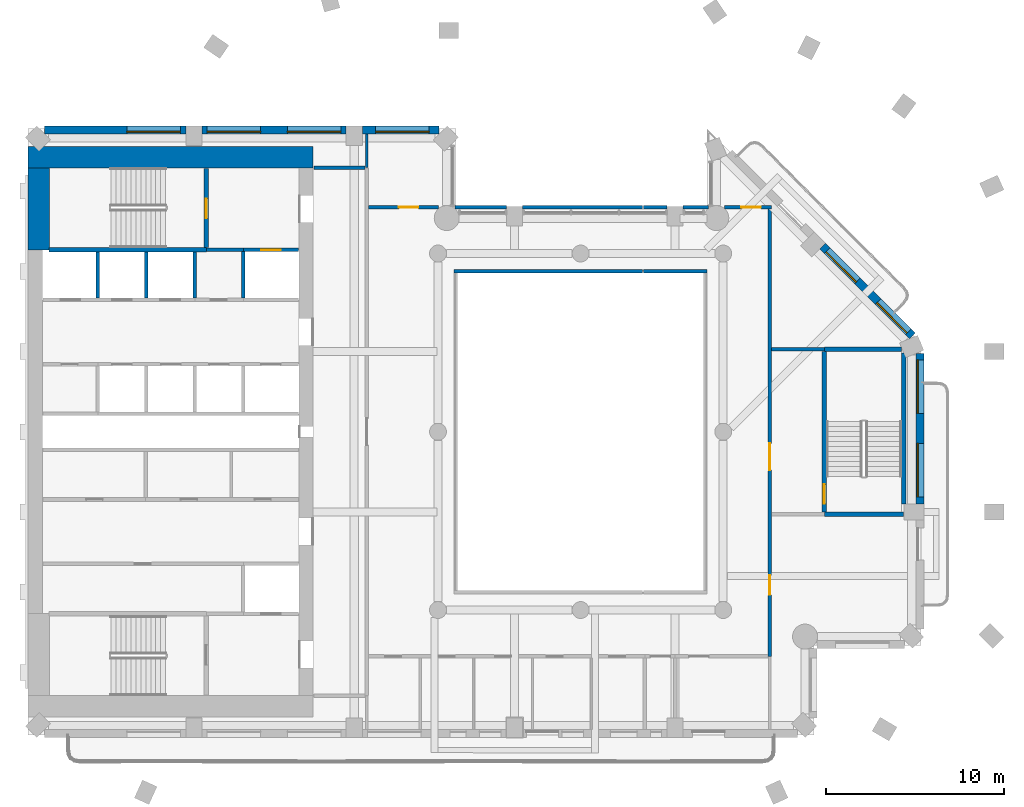
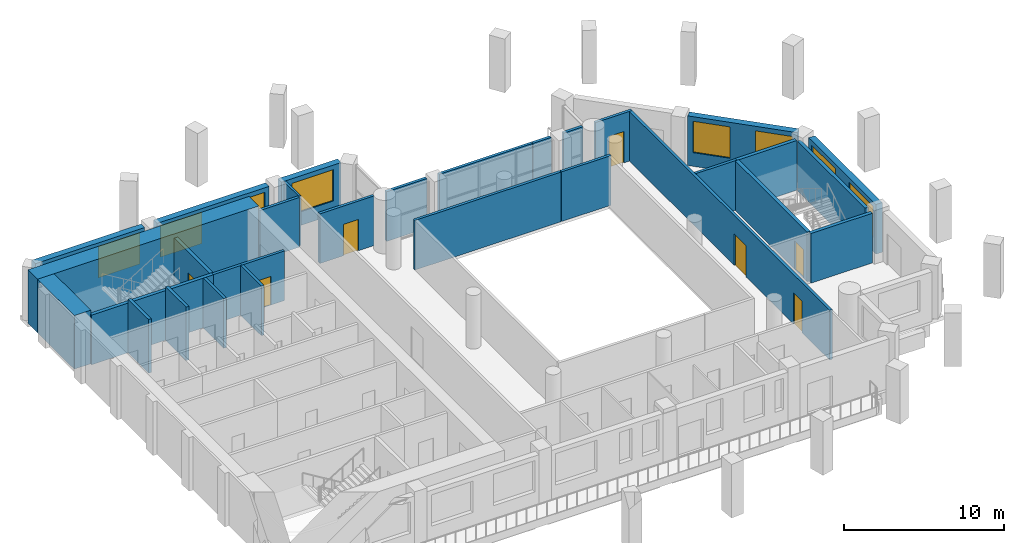
# One storey, part 6 of 14: 31 walls, 8 windows, 7 doors, 15 openings.
"""IFC4 building model written with IfcOpenShell, lengths in metres."""

import ifcopenshell
import ifcopenshell.guid

model = None  # the IFC model being written
_history = None  # IfcOwnerHistory: only IFC2X3 demands one
_inside = {}  # id of a spatial element -> (the spatial element, [elements in it])
_under = {}  # id of a project, library or spatial element -> (it, [spatial elements below it])
_declared = {}  # id of a project -> (the project, [libraries it declares])
_typed = {}  # id of a type object -> (the type object, [elements of that type])
_made_of = {}  # id of a material, layer set ... -> (it, [elements and type objects made of it])


def new_model(schema):
    """Start an empty IFC model of exactly this schema.

    Asked for "IFC4X3", IfcOpenShell would pick the latest addendum, in which some entities
    have other attributes; the version numbers below select the first issue.
    IFC2X3 requires an IfcOwnerHistory on every rooted entity: one is made here for all.
    """
    global model, _history
    if schema == "IFC4X3":
        model = ifcopenshell.file(schema_version=(4, 3, 0, 0))
    else:
        model = ifcopenshell.file(schema=schema)
    _inside.clear()
    _under.clear()
    _declared.clear()
    _typed.clear()
    _made_of.clear()
    _history = None
    if model.schema == "IFC2X3":
        org = make("IfcOrganization", Name="unknown")
        user = make(
            "IfcPersonAndOrganization",
            ThePerson=make("IfcPerson", FamilyName="unknown"),
            TheOrganization=org,
        )
        app = make(
            "IfcApplication",
            ApplicationDeveloper=org,
            Version="unknown",
            ApplicationFullName="unknown",
            ApplicationIdentifier="unknown",
        )
        _history = make(
            "IfcOwnerHistory",
            OwningUser=user,
            OwningApplication=app,
            ChangeAction="ADDED",
            CreationDate=0,
        )
    return model


def make(cls, **values):
    """One entity of the class cls with the attributes given. An attribute that is None is left unset."""
    return model.create_entity(
        cls, **{name: value for name, value in values.items() if value is not None}
    )


def rooted(cls, **values):
    """An entity with a GlobalId (a new one), such as an element, a storey or a relation."""
    return make(cls, GlobalId=ifcopenshell.guid.new(), OwnerHistory=_history, **values)


def si_unit(unit_type, name, prefix=None):
    """IfcSIUnit, for example si_unit("LENGTHUNIT", "METRE", prefix="MILLI")."""
    return make("IfcSIUnit", UnitType=unit_type, Prefix=prefix, Name=name)


def assignment(units):
    """IfcUnitAssignment: the units of a project."""
    return None if units is None else make("IfcUnitAssignment", Units=units)


def point(xyz):
    """IfcCartesianPoint."""
    return None if xyz is None else make("IfcCartesianPoint", Coordinates=xyz)


def direction(xyz):
    """IfcDirection."""
    return None if xyz is None else make("IfcDirection", DirectionRatios=xyz)


def frame(location, z_axis=None, x_axis=None):
    """IfcAxis2Placement3D, a coordinate frame: its origin and axes. An axis left out is left unset."""
    return make(
        "IfcAxis2Placement3D",
        Location=point(location),
        Axis=direction(z_axis),
        RefDirection=direction(x_axis),
    )


def frame_2d(location, x_axis=None):
    """IfcAxis2Placement2D, a coordinate frame in the plane: its origin and x axis."""
    return make(
        "IfcAxis2Placement2D", Location=point(location), RefDirection=direction(x_axis)
    )


def origin():
    """The frame at (0, 0, 0) with its axes left unset."""
    return frame((0.0, 0.0, 0.0))


def place(relative_to, where):
    """IfcLocalPlacement: puts the frame where relative to a parent placement (None: the world)."""
    return make(
        "IfcLocalPlacement", PlacementRelTo=relative_to, RelativePlacement=where
    )


def context(
    kind, dimensions, precision=None, world=None, true_north=None, identifier=None
):
    """IfcGeometricRepresentationContext, for example the 3D "Model" context."""
    return make(
        "IfcGeometricRepresentationContext",
        ContextIdentifier=identifier,
        ContextType=kind,
        CoordinateSpaceDimension=dimensions,
        Precision=precision,
        WorldCoordinateSystem=world,
        TrueNorth=true_north,
    )


def subcontext(parent, identifier, kind, view, scale=None):
    """IfcGeometricRepresentationSubContext, for example "Body" below "Model"."""
    return make(
        "IfcGeometricRepresentationSubContext",
        ContextIdentifier=identifier,
        ContextType=kind,
        ParentContext=parent,
        TargetScale=scale,
        TargetView=view,
    )


def project(units=None, contexts=None):
    """IfcProject with its units and contexts."""
    return rooted(
        "IfcProject",
        Name="project",
        RepresentationContexts=contexts,
        UnitsInContext=assignment(units),
    )


def spatial(cls, under=None, at=None, **own):
    """A site, building, storey or space (cls), placed at a placement, below another one or the project."""
    s = rooted(cls, ObjectPlacement=at, **own)
    if under is not None:
        _under.setdefault(under.id(), (under, []))[1].append(s)
    return s


def profile(cls, at=None, kind="AREA", **sizes):
    """A parametric profile (cls). Its sizes go by their IFC names, for example OverallWidth=200.0."""
    return make(cls, ProfileType=kind, Position=at, **sizes)


def rectangle(**sizes):
    """IfcRectangleProfileDef."""
    return profile("IfcRectangleProfileDef", **sizes)


def extrude(swept, where, along, depth):
    """IfcExtrudedAreaSolid: the profile swept, set in the frame where, extruded along a direction by depth."""
    return make(
        "IfcExtrudedAreaSolid",
        SweptArea=swept,
        Position=where,
        ExtrudedDirection=direction(along),
        Depth=depth,
    )


def shape(context_of_items, identifier, shape_type, items):
    """IfcShapeRepresentation: the items that make up one representation, for example the "Body"."""
    return make(
        "IfcShapeRepresentation",
        ContextOfItems=context_of_items,
        RepresentationIdentifier=identifier,
        RepresentationType=shape_type,
        Items=items,
    )


def material(Name=None, Category=None):
    """IfcMaterial."""
    return make("IfcMaterial", Name=Name, Category=Category)


def layer(
    of_material, thickness, ventilated=None, Name=None, Category=None, Priority=None
):
    """IfcMaterialLayer: one layer of a wall or slab, of a material (None: an air gap)."""
    return make(
        "IfcMaterialLayer",
        Material=of_material,
        LayerThickness=thickness,
        IsVentilated=ventilated,
        Name=Name,
        Category=Category,
        Priority=Priority,
    )


def layer_set(layers, Name=None):
    """IfcMaterialLayerSet."""
    return make("IfcMaterialLayerSet", MaterialLayers=layers, LayerSetName=Name)


def made_of(thing, what):
    """Note that an element or type object is made of a material, layer set ...; save() writes the relation."""
    if what is not None:
        _made_of.setdefault(what.id(), (what, []))[1].append(thing)
    return thing


def type_object(cls, material=None, **own):
    """A type object (cls), such as IfcWallType, which elements share."""
    return made_of(rooted(cls, **own), material)


def element(
    cls,
    number,
    at=None,
    inside=None,
    cuts=None,
    type_object=None,
    material=None,
    context=None,
    identifier="Body",
    shape_type=None,
    held_by="IfcProductDefinitionShape",
    body=None,
    shapes=None,
    **own,
):
    """One element of the class cls, such as IfcWall. Its Tag is "e" and its number.

    at: its placement. inside: the storey or other place that contains it. cuts: it is an
    opening in that element (IfcRelVoidsElement). A single representation is given by context,
    identifier, shape_type and body (its items); several are given by shapes. held_by: the class
    of the entity that holds the representations. save() writes the other relations.
    """
    e = rooted(cls, Tag="e%d" % number, ObjectPlacement=at, **own)
    if body is not None:
        shapes = [shape(context, identifier, shape_type, body)]
    if shapes is not None:
        e.Representation = make(held_by, Representations=shapes)
    if inside is not None:
        _inside.setdefault(inside.id(), (inside, []))[1].append(e)
    if cuts is not None:
        rooted(
            "IfcRelVoidsElement", RelatingBuildingElement=cuts, RelatedOpeningElement=e
        )
    if type_object is not None:
        _typed.setdefault(type_object.id(), (type_object, []))[1].append(e)
    return made_of(e, material)


def fill(opening, filler):
    """IfcRelFillsElement: the door or window that sits in an opening."""
    return rooted(
        "IfcRelFillsElement",
        RelatingOpeningElement=opening,
        RelatedBuildingElement=filler,
    )


def aggregate(whole, parts):
    """IfcRelAggregates: a whole, such as a stair, and the parts it consists of."""
    return rooted("IfcRelAggregates", RelatingObject=whole, RelatedObjects=parts)


def save(model, path):
    """Write the relations noted so far, then the file.

    IfcRelAggregates (storeys below a building ...), IfcRelContainedInSpatialStructure (elements
    in a storey), IfcRelDefinesByType, IfcRelAssociatesMaterial and IfcRelDeclares: one each for
    every whole, place, type object, material and project.
    """
    for whole, parts in _under.values():
        aggregate(whole, parts)
    for where, things in _inside.values():
        rooted(
            "IfcRelContainedInSpatialStructure",
            RelatedElements=things,
            RelatingStructure=where,
        )
    for kind, things in _typed.values():
        rooted("IfcRelDefinesByType", RelatedObjects=things, RelatingType=kind)
    for what, things in _made_of.values():
        rooted("IfcRelAssociatesMaterial", RelatedObjects=things, RelatingMaterial=what)
    for by, libraries in _declared.values():
        rooted("IfcRelDeclares", RelatingContext=by, RelatedDefinitions=libraries)
    model.write(path)


model = new_model("IFC4")

# Units and contexts
model_context = context("Model", 3, precision=1e-05, world=origin(), true_north=direction((0.0, 1.0)))
body_context = subcontext(model_context, "Body", "Model", "MODEL_VIEW")
ifc_project = project(units=[si_unit("LENGTHUNIT", "METRE"), si_unit("AREAUNIT", "SQUARE_METRE"), si_unit("VOLUMEUNIT", "CUBIC_METRE"), si_unit("PLANEANGLEUNIT", "RADIAN"), si_unit("MASSUNIT", "GRAM", prefix="KILO")], contexts=[model_context])

# Site, building, storey
site_placement = place(None, origin())
site = spatial("IfcSite", under=ifc_project, at=site_placement, CompositionType="ELEMENT")
building_placement = place(site_placement, origin())
building = spatial("IfcBuilding", under=site, at=building_placement, Name="Cypress Arch Tower", CompositionType="ELEMENT")
storey_placement = place(building_placement, frame((0.0, 0.0, 201.5)))
storey = spatial("IfcBuildingStorey", under=building, at=storey_placement, Name="L44", CompositionType="ELEMENT", Elevation=201.5)

# Wall, openings, windows
ifc_material_1 = material(Name="Brick (red buff blend)", Category="masonry")
ifc_layer_1 = layer(ifc_material_1, 0.449951171875)
ifc_layer_set_1 = layer_set([ifc_layer_1], Name="Brick pier and spandrel wall BW450")
wall_type_1 = type_object("IfcWallType", Name="Brick pier and spandrel wall BW450", PredefinedType="SOLIDWALL", material=ifc_layer_set_1)
wall_1_placement = place(storey_placement, frame((20.02490234375, -4.050048828125, 0.0), z_axis=(0.0, 0.0, 1.0), x_axis=(0.0, 1.0, 0.0)))
wall_1 = element("IfcWall", 1, at=wall_1_placement, inside=storey, type_object=wall_type_1, Name="Brick wall L44 B04.1", PredefinedType="SOLIDWALL", context=body_context, shape_type="SweptSolid", body=[
    extrude(rectangle(XDim=8.438720703125, YDim=0.449951171875, at=frame_2d((4.21923828125, 0.0))), origin(), (0.0, 0.0, 1.0), 3.800048828125),
])
opening_1_placement = place(wall_1_placement, frame((0.39404296875, 0.0, 1.050048828125)))
opening_1 = element("IfcOpeningElement", 2, at=opening_1_placement, cuts=wall_1, Name="Opening W300OD", PredefinedType="OPENING", context=body_context, shape_type="SweptSolid", body=[
    extrude(rectangle(XDim=3.0, YDim=2.39990234375, at=frame_2d((1.5, 1.199951171875))), frame((0.0, 0.23486328125, 0.0), z_axis=(0.0, -1.0, 0.0), x_axis=(1.0, 0.0, 0.0)), (0.0, 0.0, 1.0), 0.469970703125),
])
opening_2_placement = place(wall_1_placement, frame((5.081787109375, 0.0, 1.050048828125)))
opening_2 = element("IfcOpeningElement", 3, at=opening_2_placement, cuts=wall_1, Name="Opening W300OD", PredefinedType="OPENING", context=body_context, shape_type="SweptSolid", body=[
    extrude(rectangle(XDim=3.0, YDim=2.39990234375, at=frame_2d((1.5, 1.199951171875))), frame((0.0, 0.23486328125, 0.0), z_axis=(0.0, -1.0, 0.0), x_axis=(1.0, 0.0, 0.0)), (0.0, 0.0, 1.0), 0.469970703125),
])
ifc_material_2 = material(Name="Anodised aluminium, bronze finish, laminated low-emissivity double glazing, large-missile impact rated", Category="aluminium")
window_type_1 = type_object("IfcWindowType", Name="Window Office 3000x2400 debris-rated", PartitioningType="SINGLE_PANEL", PredefinedType="WINDOW", material=ifc_material_2)
window_1_placement = place(opening_1_placement, origin())
window_1 = element("IfcWindow", 4, at=window_1_placement, inside=storey, type_object=window_type_1, Name="Window L44 B04.1.1", OverallHeight=2.39990234375, OverallWidth=3.0, PartitioningType="SINGLE_PANEL", PredefinedType="WINDOW", context=body_context, shape_type="SweptSolid", body=[
    extrude(rectangle(XDim=3.0, YDim=2.39990234375, at=frame_2d((1.5, 1.199951171875))), frame((0.0, 0.135009765625, 0.0), z_axis=(0.0, -1.0, 0.0), x_axis=(1.0, 0.0, 0.0)), (0.0, 0.0, 1.0), 0.06005859375),
])
fill(opening_1, window_1)
window_2_placement = place(opening_2_placement, origin())
window_2 = element("IfcWindow", 5, at=window_2_placement, inside=storey, type_object=window_type_1, Name="Window L44 B04.1.2", OverallHeight=2.39990234375, OverallWidth=3.0, PartitioningType="SINGLE_PANEL", PredefinedType="WINDOW", context=body_context, shape_type="SweptSolid", body=[
    extrude(rectangle(XDim=3.0, YDim=2.39990234375, at=frame_2d((1.5, 1.199951171875))), frame((0.0, 0.135009765625, 0.0), z_axis=(0.0, -1.0, 0.0), x_axis=(1.0, 0.0, 0.0)), (0.0, 0.0, 1.0), 0.06005859375),
])
fill(opening_2, window_2)

wall_2_placement = place(storey_placement, frame((19.61474609375, 5.379150390625, 0.0), z_axis=(0.0, 0.0, 1.0), x_axis=(-0.707089646058, 0.7071239159, 0.0)))
wall_2 = element("IfcWall", 6, at=wall_2_placement, inside=storey, type_object=wall_type_1, Name="Brick wall L44 B05.0", PredefinedType="SOLIDWALL", context=body_context, shape_type="SweptSolid", body=[
    extrude(rectangle(XDim=7.1240234375, YDim=0.449951171875, at=frame_2d((3.56201171875, 0.0))), origin(), (0.0, 0.0, 1.0), 3.800048828125),
])
opening_3_placement = place(wall_2_placement, frame((0.328125, 0.0, 1.050048828125)))
opening_3 = element("IfcOpeningElement", 7, at=opening_3_placement, cuts=wall_2, Name="Opening W240OD", PredefinedType="OPENING", context=body_context, shape_type="SweptSolid", body=[
    extrude(rectangle(XDim=2.39990234375, YDim=2.39990234375, at=frame_2d((1.199951171875, 1.199951171875))), frame((0.0, 0.23486328125, 0.0), z_axis=(0.0, -1.0, 0.0), x_axis=(1.0, 0.0, 0.0)), (0.0, 0.0, 1.0), 0.469970703125),
])
opening_4_placement = place(wall_2_placement, frame((4.358642578125, 0.0, 1.050048828125)))
opening_4 = element("IfcOpeningElement", 8, at=opening_4_placement, cuts=wall_2, Name="Opening W240OD", PredefinedType="OPENING", context=body_context, shape_type="SweptSolid", body=[
    extrude(rectangle(XDim=2.39990234375, YDim=2.39990234375, at=frame_2d((1.199951171875, 1.199951171875))), frame((0.0, 0.23486328125, 0.0), z_axis=(0.0, -1.0, 0.0), x_axis=(1.0, 0.0, 0.0)), (0.0, 0.0, 1.0), 0.469970703125),
])
ifc_material_3 = material(Name="Anodised aluminium, bronze finish, laminated low-emissivity double glazing, large-missile impact rated", Category="aluminium")
window_type_2 = type_object("IfcWindowType", Name="Window Office 2400x2400 debris-rated", PartitioningType="SINGLE_PANEL", PredefinedType="WINDOW", material=ifc_material_3)
window_3_placement = place(opening_3_placement, origin())
window_3 = element("IfcWindow", 9, at=window_3_placement, inside=storey, type_object=window_type_2, Name="Window L44 B05.0.1", OverallHeight=2.39990234375, OverallWidth=2.39990234375, PartitioningType="SINGLE_PANEL", PredefinedType="WINDOW", context=body_context, shape_type="SweptSolid", body=[
    extrude(rectangle(XDim=2.39990234375, YDim=2.39990234375, at=frame_2d((1.199951171875, 1.199951171875))), frame((0.0, 0.135009765625, 0.0), z_axis=(0.0, -1.0, 0.0), x_axis=(1.0, 0.0, 0.0)), (0.0, 0.0, 1.0), 0.06005859375),
])
fill(opening_3, window_3)
window_4_placement = place(opening_4_placement, origin())
window_4 = element("IfcWindow", 10, at=window_4_placement, inside=storey, type_object=window_type_2, Name="Window L44 B05.0.2", OverallHeight=2.39990234375, OverallWidth=2.39990234375, PartitioningType="SINGLE_PANEL", PredefinedType="WINDOW", context=body_context, shape_type="SweptSolid", body=[
    extrude(rectangle(XDim=2.39990234375, YDim=2.39990234375, at=frame_2d((1.199951171875, 1.199951171875))), frame((0.0, 0.135009765625, 0.0), z_axis=(0.0, -1.0, 0.0), x_axis=(1.0, 0.0, 0.0)), (0.0, 0.0, 1.0), 0.06005859375),
])
fill(opening_4, window_4)

# Wall, opening, window
wall_3_placement = place(storey_placement, frame((-6.936279296875, 16.925048828125, 0.0), z_axis=(0.0, 0.0, 1.0), x_axis=(-1.0, 0.0, 0.0)))
wall_3 = element("IfcWall", 11, at=wall_3_placement, inside=storey, type_object=wall_type_1, Name="Brick wall L44 B09.0", PredefinedType="SOLIDWALL", context=body_context, shape_type="SweptSolid", body=[
    extrude(rectangle(XDim=4.313720703125, YDim=0.449951171875, at=frame_2d((2.15673828125, 0.0))), origin(), (0.0, 0.0, 1.0), 3.800048828125),
])
opening_5_placement = place(wall_3_placement, frame((0.563720703125, 0.0, 1.050048828125)))
opening_5 = element("IfcOpeningElement", 12, at=opening_5_placement, cuts=wall_3, Name="Opening W300O", PredefinedType="OPENING", context=body_context, shape_type="SweptSolid", body=[
    extrude(rectangle(XDim=3.0, YDim=2.39990234375, at=frame_2d((1.5, 1.199951171875))), frame((0.0, 0.23486328125, 0.0), z_axis=(0.0, -1.0, 0.0), x_axis=(1.0, 0.0, 0.0)), (0.0, 0.0, 1.0), 0.469970703125),
])
ifc_material_4 = material(Name="Anodised aluminium, bronze finish, clear low-emissivity double glazing", Category="aluminium")
window_type_3 = type_object("IfcWindowType", Name="Window Office 3000x2400", PartitioningType="SINGLE_PANEL", PredefinedType="WINDOW", material=ifc_material_4)
window_5_placement = place(opening_5_placement, origin())
window_5 = element("IfcWindow", 13, at=window_5_placement, inside=storey, type_object=window_type_3, Name="Window L44 B09.0.1", OverallHeight=2.39990234375, OverallWidth=3.0, PartitioningType="SINGLE_PANEL", PredefinedType="WINDOW", context=body_context, shape_type="SweptSolid", body=[
    extrude(rectangle(XDim=3.0, YDim=2.39990234375, at=frame_2d((1.5, 1.199951171875))), frame((0.0, 0.135009765625, 0.0), z_axis=(0.0, -1.0, 0.0), x_axis=(1.0, 0.0, 0.0)), (0.0, 0.0, 1.0), 0.06005859375),
])
fill(opening_5, window_5)

# Wall, openings, windows
wall_4_placement = place(storey_placement, frame((-12.14990234375, 16.925048828125, 0.0), z_axis=(0.0, 0.0, 1.0), x_axis=(-1.0, 0.0, 0.0)))
wall_4 = element("IfcWall", 14, at=wall_4_placement, inside=storey, type_object=wall_type_1, Name="Brick wall L44 B09.1", PredefinedType="SOLIDWALL", context=body_context, shape_type="SweptSolid", body=[
    extrude(rectangle(XDim=8.10009765625, YDim=0.449951171875, at=frame_2d((4.050048828125, 0.0))), origin(), (0.0, 0.0, 1.0), 3.800048828125),
])
opening_6_placement = place(wall_4_placement, frame((0.300048828125, 0.0, 1.050048828125)))
opening_6 = element("IfcOpeningElement", 15, at=opening_6_placement, cuts=wall_4, Name="Opening W300O", PredefinedType="OPENING", context=body_context, shape_type="SweptSolid", body=[
    extrude(rectangle(XDim=3.0, YDim=2.39990234375, at=frame_2d((1.5, 1.199951171875))), frame((0.0, 0.23486328125, 0.0), z_axis=(0.0, -1.0, 0.0), x_axis=(1.0, 0.0, 0.0)), (0.0, 0.0, 1.0), 0.469970703125),
])
opening_7_placement = place(wall_4_placement, frame((4.800048828125, 0.0, 1.050048828125)))
opening_7 = element("IfcOpeningElement", 16, at=opening_7_placement, cuts=wall_4, Name="Opening W300O", PredefinedType="OPENING", context=body_context, shape_type="SweptSolid", body=[
    extrude(rectangle(XDim=3.0, YDim=2.39990234375, at=frame_2d((1.5, 1.199951171875))), frame((0.0, 0.23486328125, 0.0), z_axis=(0.0, -1.0, 0.0), x_axis=(1.0, 0.0, 0.0)), (0.0, 0.0, 1.0), 0.469970703125),
])
window_6_placement = place(opening_6_placement, origin())
window_6 = element("IfcWindow", 17, at=window_6_placement, inside=storey, type_object=window_type_3, Name="Window L44 B09.1.1", OverallHeight=2.39990234375, OverallWidth=3.0, PartitioningType="SINGLE_PANEL", PredefinedType="WINDOW", context=body_context, shape_type="SweptSolid", body=[
    extrude(rectangle(XDim=3.0, YDim=2.39990234375, at=frame_2d((1.5, 1.199951171875))), frame((0.0, 0.135009765625, 0.0), z_axis=(0.0, -1.0, 0.0), x_axis=(1.0, 0.0, 0.0)), (0.0, 0.0, 1.0), 0.06005859375),
])
fill(opening_6, window_6)
window_7_placement = place(opening_7_placement, origin())
window_7 = element("IfcWindow", 18, at=window_7_placement, inside=storey, type_object=window_type_3, Name="Window L44 B09.1.2", OverallHeight=2.39990234375, OverallWidth=3.0, PartitioningType="SINGLE_PANEL", PredefinedType="WINDOW", context=body_context, shape_type="SweptSolid", body=[
    extrude(rectangle(XDim=3.0, YDim=2.39990234375, at=frame_2d((1.5, 1.199951171875))), frame((0.0, 0.135009765625, 0.0), z_axis=(0.0, -1.0, 0.0), x_axis=(1.0, 0.0, 0.0)), (0.0, 0.0, 1.0), 0.06005859375),
])
fill(opening_7, window_7)

# Wall, opening, window
wall_5_placement = place(storey_placement, frame((-21.14990234375, 16.925048828125, 0.0), z_axis=(0.0, 0.0, 1.0), x_axis=(-1.0, 0.0, 0.0)))
wall_5 = element("IfcWall", 19, at=wall_5_placement, inside=storey, type_object=wall_type_1, Name="Brick wall L44 B09.2", PredefinedType="SOLIDWALL", context=body_context, shape_type="SweptSolid", body=[
    extrude(rectangle(XDim=7.913818359375, YDim=0.449951171875, at=frame_2d((3.95703125, 0.0))), origin(), (0.0, 0.0, 1.0), 3.800048828125),
])
opening_8_placement = place(wall_5_placement, frame((0.300048828125, 0.0, 1.050048828125)))
opening_8 = element("IfcOpeningElement", 20, at=opening_8_placement, cuts=wall_5, Name="Opening W300O", PredefinedType="OPENING", context=body_context, shape_type="SweptSolid", body=[
    extrude(rectangle(XDim=3.0, YDim=2.39990234375, at=frame_2d((1.5, 1.199951171875))), frame((0.0, 0.23486328125, 0.0), z_axis=(0.0, -1.0, 0.0), x_axis=(1.0, 0.0, 0.0)), (0.0, 0.0, 1.0), 0.469970703125),
])
window_8_placement = place(opening_8_placement, origin())
window_8 = element("IfcWindow", 21, at=window_8_placement, inside=storey, type_object=window_type_3, Name="Window L44 B09.2.1", OverallHeight=2.39990234375, OverallWidth=3.0, PartitioningType="SINGLE_PANEL", PredefinedType="WINDOW", context=body_context, shape_type="SweptSolid", body=[
    extrude(rectangle(XDim=3.0, YDim=2.39990234375, at=frame_2d((1.5, 1.199951171875))), frame((0.0, 0.135009765625, 0.0), z_axis=(0.0, -1.0, 0.0), x_axis=(1.0, 0.0, 0.0)), (0.0, 0.0, 1.0), 0.06005859375),
])
fill(opening_8, window_8)

# Walls
ifc_material_5 = material(Name="Concrete C70/85", Category="concrete")
ifc_layer_2 = layer(ifc_material_5, 1.199951171875)
ifc_layer_set_2 = layer_set([ifc_layer_2], Name="Core wall CW1200 C70/85")
wall_type_2 = type_object("IfcWallType", Name="Core wall CW1200 C70/85", PredefinedType="SHEAR", material=ifc_layer_set_2)
wall_6_placement = place(storey_placement, frame((-30.0, 15.39990234375, 0.0), z_axis=(0.0, 0.0, 1.0), x_axis=(1.0, 0.0, 0.0)))
element("IfcWall", 22, at=wall_6_placement, inside=storey, type_object=wall_type_2, Name="Core wall", PredefinedType="SHEAR", context=body_context, shape_type="SweptSolid", body=[
    extrude(rectangle(XDim=16.0, YDim=1.199951171875, at=frame_2d((8.0, 0.0))), origin(), (0.0, 0.0, 1.0), 4.10009765625),
])
wall_7_placement = place(storey_placement, frame((-29.39990234375, 10.199951171875, 0.0), z_axis=(0.0, 0.0, 1.0), x_axis=(0.0, 1.0, 0.0)))
element("IfcWall", 23, at=wall_7_placement, inside=storey, type_object=wall_type_2, Name="Core wall", PredefinedType="SHEAR", context=body_context, shape_type="SweptSolid", body=[
    extrude(rectangle(XDim=4.60009765625, YDim=1.199951171875, at=frame_2d((2.300048828125, 0.0))), origin(), (0.0, 0.0, 1.0), 4.10009765625),
])
ifc_material_6 = material(Name="Concrete blockwork, plastered, rated", Category="masonry")
ifc_layer_3 = layer(ifc_material_6, 0.199951171875)
ifc_layer_set_3 = layer_set([ifc_layer_3], Name="Corridor wall FW200")
wall_type_3 = type_object("IfcWallType", Name="Corridor wall FW200", PredefinedType="PARTITIONING", material=ifc_layer_set_3)
wall_8_placement = place(storey_placement, frame((-20.0, 10.199951171875, 0.0), z_axis=(0.0, 0.0, 1.0), x_axis=(1.0, 0.0, 0.0)))
element("IfcWall", 24, at=wall_8_placement, inside=storey, type_object=wall_type_3, Name="Corridor wall", PredefinedType="PARTITIONING", context=body_context, shape_type="SweptSolid", body=[
    extrude(rectangle(XDim=2.080078125, YDim=0.199951171875, at=frame_2d((1.0400390625, 0.0))), origin(), (0.0, 0.0, 1.0), 3.800048828125),
])
wall_9_placement = place(storey_placement, frame((-13.969970703125, 14.800048828125, 0.0), z_axis=(0.0, 0.0, 1.0), x_axis=(1.0, 0.0, 0.0)))
element("IfcWall", 25, at=wall_9_placement, inside=storey, type_object=wall_type_3, Name="Corridor wall", PredefinedType="PARTITIONING", context=body_context, shape_type="SweptSolid", body=[
    extrude(rectangle(XDim=2.869873046875, YDim=0.199951171875, at=frame_2d((1.43505859375, 0.0))), origin(), (0.0, 0.0, 1.0), 3.800048828125),
])

# Wall, opening, door
wall_10_placement = place(storey_placement, frame((-10.89990234375, 12.60009765625, 0.0), z_axis=(0.0, 0.0, 1.0), x_axis=(1.0, 0.0, 0.0)))
wall_10 = element("IfcWall", 26, at=wall_10_placement, inside=storey, type_object=wall_type_3, Name="Corridor wall", PredefinedType="PARTITIONING", context=body_context, shape_type="SweptSolid", body=[
    extrude(rectangle(XDim=3.935302734375, YDim=0.199951171875, at=frame_2d((1.9677734375, 0.0))), origin(), (0.0, 0.0, 1.0), 3.800048828125),
])
opening_9_placement = place(wall_10_placement, frame((1.699951171875, 0.0, 0.0)))
opening_9 = element("IfcOpeningElement", 27, at=opening_9_placement, cuts=wall_10, Name="Opening D01", PredefinedType="OPENING", context=body_context, shape_type="SweptSolid", body=[
    extrude(rectangle(XDim=1.10009765625, YDim=2.39990234375, at=frame_2d((0.550048828125, 1.199951171875))), frame((0.0, 0.10986328125, 0.0), z_axis=(0.0, -1.0, 0.0), x_axis=(1.0, 0.0, 0.0)), (0.0, 0.0, 1.0), 0.219970703125),
])
ifc_material_7 = material(Name="Timber flush door, fire resisting, self-closing", Category="wood")
door_type_1 = type_object("IfcDoorType", Name="Unit entrance door D01 1100x2400", OperationType="SINGLE_SWING_LEFT", PredefinedType="DOOR", material=ifc_material_7)
door_1_placement = place(opening_9_placement, origin())
door_1 = element("IfcDoor", 28, at=door_1_placement, inside=storey, type_object=door_type_1, Name="Unit entrance door", OperationType="SINGLE_SWING_LEFT", OverallHeight=2.39990234375, OverallWidth=1.10009765625, PredefinedType="DOOR", context=body_context, shape_type="SweptSolid", body=[
    extrude(rectangle(XDim=1.10009765625, YDim=2.39990234375, at=frame_2d((0.550048828125, 1.199951171875))), frame((0.0, 0.02490234375, 0.0), z_axis=(0.0, -1.0, 0.0), x_axis=(1.0, 0.0, 0.0)), (0.0, 0.0, 1.0), 0.050048828125),
])
fill(opening_9, door_1)

# Walls
wall_11_placement = place(storey_placement, frame((-6.0595703125, 12.60009765625, 0.0), z_axis=(0.0, 0.0, 1.0), x_axis=(1.0, 0.0, 0.0)))
element("IfcWall", 29, at=wall_11_placement, inside=storey, type_object=wall_type_3, Name="Corridor wall", PredefinedType="PARTITIONING", context=body_context, shape_type="SweptSolid", body=[
    extrude(rectangle(XDim=2.90966796875, YDim=0.199951171875, at=frame_2d((1.454833984375, 0.0))), origin(), (0.0, 0.0, 1.0), 3.800048828125),
])
wall_12_placement = place(storey_placement, frame((-2.25, 12.60009765625, 0.0), z_axis=(0.0, 0.0, 1.0), x_axis=(1.0, 0.0, 0.0)))
element("IfcWall", 30, at=wall_12_placement, inside=storey, type_object=wall_type_3, Name="Corridor wall", PredefinedType="PARTITIONING", context=body_context, shape_type="SweptSolid", body=[
    extrude(rectangle(XDim=6.72998046875, YDim=0.199951171875, at=frame_2d((3.364990234375, 0.0))), origin(), (0.0, 0.0, 1.0), 3.800048828125),
])
wall_13_placement = place(storey_placement, frame((-6.10009765625, 9.0, 0.0), z_axis=(0.0, 0.0, 1.0), x_axis=(1.0, 0.0, 0.0)))
element("IfcWall", 31, at=wall_13_placement, inside=storey, type_object=wall_type_3, Name="Corridor wall", PredefinedType="PARTITIONING", context=body_context, shape_type="SweptSolid", body=[
    extrude(rectangle(XDim=10.580078125, YDim=0.199951171875, at=frame_2d((5.2900390625, 0.0))), origin(), (0.0, 0.0, 1.0), 3.800048828125),
])
wall_14_placement = place(storey_placement, frame((4.52001953125, 9.0, 0.0), z_axis=(0.0, 0.0, 1.0), x_axis=(1.0, 0.0, 0.0)))
element("IfcWall", 32, at=wall_14_placement, inside=storey, type_object=wall_type_3, Name="Corridor wall", PredefinedType="PARTITIONING", context=body_context, shape_type="SweptSolid", body=[
    extrude(rectangle(XDim=3.580078125, YDim=0.199951171875, at=frame_2d((1.7900390625, 0.0))), origin(), (0.0, 0.0, 1.0), 3.800048828125),
])
wall_15_placement = place(storey_placement, frame((4.52001953125, 12.60009765625, 0.0), z_axis=(0.0, 0.0, 1.0), x_axis=(1.0, 0.0, 0.0)))
element("IfcWall", 33, at=wall_15_placement, inside=storey, type_object=wall_type_3, Name="Corridor wall", PredefinedType="PARTITIONING", context=body_context, shape_type="SweptSolid", body=[
    extrude(rectangle(XDim=1.330078125, YDim=0.199951171875, at=frame_2d((0.6650390625, 0.0))), origin(), (0.0, 0.0, 1.0), 3.800048828125),
])
wall_16_placement = place(storey_placement, frame((6.75, 12.60009765625, 0.0), z_axis=(0.0, 0.0, 1.0), x_axis=(1.0, 0.0, 0.0)))
element("IfcWall", 34, at=wall_16_placement, inside=storey, type_object=wall_type_3, Name="Corridor wall", PredefinedType="PARTITIONING", context=body_context, shape_type="SweptSolid", body=[
    extrude(rectangle(XDim=1.40966796875, YDim=0.199951171875, at=frame_2d((0.704833984375, 0.0))), origin(), (0.0, 0.0, 1.0), 3.800048828125),
])

# Wall, opening, door
wall_17_placement = place(storey_placement, frame((9.064697265625, 12.60009765625, 0.0), z_axis=(0.0, 0.0, 1.0), x_axis=(1.0, 0.0, 0.0)))
wall_17 = element("IfcWall", 35, at=wall_17_placement, inside=storey, type_object=wall_type_3, Name="Corridor wall", PredefinedType="PARTITIONING", context=body_context, shape_type="SweptSolid", body=[
    extrude(rectangle(XDim=2.63525390625, YDim=0.199951171875, at=frame_2d((1.317626953125, 0.0))), origin(), (0.0, 0.0, 1.0), 3.800048828125),
])
opening_10_placement = place(wall_17_placement, frame((0.949951171875, 0.0, 0.0)))
opening_10 = element("IfcOpeningElement", 36, at=opening_10_placement, cuts=wall_17, Name="Opening D01", PredefinedType="OPENING", context=body_context, shape_type="SweptSolid", body=[
    extrude(rectangle(XDim=1.10009765625, YDim=2.39990234375, at=frame_2d((0.550048828125, 1.199951171875))), frame((0.0, 0.10986328125, 0.0), z_axis=(0.0, -1.0, 0.0), x_axis=(1.0, 0.0, 0.0)), (0.0, 0.0, 1.0), 0.219970703125),
])
door_2_placement = place(opening_10_placement, origin())
door_2 = element("IfcDoor", 37, at=door_2_placement, inside=storey, type_object=door_type_1, Name="Unit entrance door", OperationType="SINGLE_SWING_RIGHT", OverallHeight=2.39990234375, OverallWidth=1.10009765625, PredefinedType="DOOR", context=body_context, shape_type="SweptSolid", body=[
    extrude(rectangle(XDim=1.10009765625, YDim=2.39990234375, at=frame_2d((0.550048828125, 1.199951171875))), frame((0.0, 0.02490234375, 0.0), z_axis=(0.0, -1.0, 0.0), x_axis=(1.0, 0.0, 0.0)), (0.0, 0.0, 1.0), 0.050048828125),
])
fill(opening_10, door_2)

# Wall, openings, doors
wall_18_placement = place(storey_placement, frame((11.60009765625, -12.60009765625, 0.0), z_axis=(0.0, 0.0, 1.0), x_axis=(0.0, 1.0, 0.0)))
wall_18 = element("IfcWall", 38, at=wall_18_placement, inside=storey, type_object=wall_type_3, Name="Corridor wall", PredefinedType="PARTITIONING", context=body_context, shape_type="SweptSolid", body=[
    extrude(rectangle(XDim=25.10009765625, YDim=0.199951171875, at=frame_2d((12.550048828125, 0.0))), origin(), (0.0, 0.0, 1.0), 3.800048828125),
])
opening_11_placement = place(wall_18_placement, frame((10.449951171875, 0.0, 0.0)))
opening_11 = element("IfcOpeningElement", 39, at=opening_11_placement, cuts=wall_18, Name="Opening D07", PredefinedType="OPENING", context=body_context, shape_type="SweptSolid", body=[
    extrude(rectangle(XDim=1.5, YDim=2.39990234375, at=frame_2d((0.75, 1.199951171875))), frame((0.0, 0.10986328125, 0.0), z_axis=(0.0, -1.0, 0.0), x_axis=(1.0, 0.0, 0.0)), (0.0, 0.0, 1.0), 0.219970703125),
])
opening_12_placement = place(wall_18_placement, frame((3.449951171875, 0.0, 0.0)))
opening_12 = element("IfcOpeningElement", 40, at=opening_12_placement, cuts=wall_18, Name="Opening D01", PredefinedType="OPENING", context=body_context, shape_type="SweptSolid", body=[
    extrude(rectangle(XDim=1.10009765625, YDim=2.39990234375, at=frame_2d((0.550048828125, 1.199951171875))), frame((0.0, 0.10986328125, 0.0), z_axis=(0.0, -1.0, 0.0), x_axis=(1.0, 0.0, 0.0)), (0.0, 0.0, 1.0), 0.219970703125),
])
ifc_material_8 = material(Name="Steel framed glazed door, fire resisting", Category="steel")
door_type_2 = type_object("IfcDoorType", Name="Lobby door D07 1500x2400", OperationType="DOUBLE_DOOR_SINGLE_SWING", PredefinedType="DOOR", material=ifc_material_8)
door_3_placement = place(opening_11_placement, origin())
door_3 = element("IfcDoor", 41, at=door_3_placement, inside=storey, type_object=door_type_2, Name="Lobby door", OperationType="DOUBLE_DOOR_SINGLE_SWING", OverallHeight=2.39990234375, OverallWidth=1.5, PredefinedType="DOOR", context=body_context, shape_type="SweptSolid", body=[
    extrude(rectangle(XDim=1.5, YDim=2.39990234375, at=frame_2d((0.75, 1.199951171875))), frame((0.0, 0.02490234375, 0.0), z_axis=(0.0, -1.0, 0.0), x_axis=(1.0, 0.0, 0.0)), (0.0, 0.0, 1.0), 0.050048828125),
])
fill(opening_11, door_3)
door_4_placement = place(opening_12_placement, origin())
door_4 = element("IfcDoor", 42, at=door_4_placement, inside=storey, type_object=door_type_1, Name="Unit entrance door", OperationType="SINGLE_SWING_RIGHT", OverallHeight=2.39990234375, OverallWidth=1.10009765625, PredefinedType="DOOR", context=body_context, shape_type="SweptSolid", body=[
    extrude(rectangle(XDim=1.10009765625, YDim=2.39990234375, at=frame_2d((0.550048828125, 1.199951171875))), frame((0.0, 0.02490234375, 0.0), z_axis=(0.0, -1.0, 0.0), x_axis=(1.0, 0.0, 0.0)), (0.0, 0.0, 1.0), 0.050048828125),
])
fill(opening_12, door_4)

# Walls
wall_19_placement = place(storey_placement, frame((11.699951171875, 4.625, 0.0), z_axis=(0.0, 0.0, 1.0), x_axis=(1.0, 0.0, 0.0)))
element("IfcWall", 43, at=wall_19_placement, inside=storey, type_object=wall_type_3, Name="Corridor wall", PredefinedType="PARTITIONING", context=body_context, shape_type="SweptSolid", body=[
    extrude(rectangle(XDim=2.97509765625, YDim=0.199951171875, at=frame_2d((1.487548828125, 0.0))), origin(), (0.0, 0.0, 1.0), 3.800048828125),
])
ifc_material_9 = material(Name="Blockwork, plastered both sides", Category="masonry")
ifc_layer_4 = layer(ifc_material_9, 0.14990234375)
ifc_layer_set_4 = layer_set([ifc_layer_4], Name="Partition PW150")
wall_type_4 = type_object("IfcWallType", Name="Partition PW150", PredefinedType="PARTITIONING", material=ifc_layer_set_4)
wall_20_placement = place(storey_placement, frame((-11.0, 14.820068359375, 0.0), z_axis=(0.0, 0.0, 1.0), x_axis=(0.0, 1.0, 0.0)))
element("IfcWall", 44, at=wall_20_placement, inside=storey, type_object=wall_type_4, Name="Partition", PredefinedType="PARTITIONING", context=body_context, shape_type="SweptSolid", body=[
    extrude(rectangle(XDim=1.8798828125, YDim=0.14990234375, at=frame_2d((0.93994140625, 0.0))), origin(), (0.0, 0.0, 1.0), 3.800048828125),
])
ifc_material_10 = material(Name="Concrete C50/60", Category="concrete")
ifc_layer_5 = layer(ifc_material_10, 0.199951171875)
ifc_layer_set_5 = layer_set([ifc_layer_5], Name="Shaft wall SH200")
wall_type_5 = type_object("IfcWallType", Name="Shaft wall SH200", PredefinedType="SHEAR", material=ifc_layer_set_5)
for number, where, z_axis, x_axis, name in (
    (45, (-26.080078125, 7.5, 0.0), (0.0, 0.0, 1.0), (0.0, 1.0, 0.0), "Shaft wall"),
    (46, (-23.360107421875, 7.5, 0.0), (0.0, 0.0, 1.0), (0.0, 1.0, 0.0), "Shaft wall"),
):
    element("IfcWall", number, at=place(storey_placement, frame(where, z_axis=z_axis, x_axis=x_axis)), inside=storey, type_object=wall_type_5, Name=name, PredefinedType="SHEAR", context=body_context, shape_type="SweptSolid", body=[
        extrude(rectangle(XDim=2.574951171875, YDim=0.199951171875, at=frame_2d((1.28759765625, 0.0))), origin(), (0.0, 0.0, 1.0), 4.10009765625),
    ])
wall_21_placement = place(storey_placement, frame((-20.639892578125, 7.5, 0.0), z_axis=(0.0, 0.0, 1.0), x_axis=(0.0, 1.0, 0.0)))
element("IfcWall", 47, at=wall_21_placement, inside=storey, type_object=wall_type_5, Name="Shaft wall", PredefinedType="SHEAR", context=body_context, shape_type="SweptSolid", body=[
    extrude(rectangle(XDim=2.574951171875, YDim=0.199951171875, at=frame_2d((1.28759765625, 0.0))), origin(), (0.0, 0.0, 1.0), 3.800048828125),
])
wall_22_placement = place(storey_placement, frame((-17.919921875, 7.5, 0.0), z_axis=(0.0, 0.0, 1.0), x_axis=(0.0, 1.0, 0.0)))
element("IfcWall", 48, at=wall_22_placement, inside=storey, type_object=wall_type_5, Name="Shaft wall", PredefinedType="SHEAR", context=body_context, shape_type="SweptSolid", body=[
    extrude(rectangle(XDim=2.60009765625, YDim=0.199951171875, at=frame_2d((1.300048828125, 0.0))), origin(), (0.0, 0.0, 1.0), 3.800048828125),
])

# Wall, opening, door
wall_23_placement = place(storey_placement, frame((-17.919921875, 10.199951171875, 0.0), z_axis=(0.0, 0.0, 1.0), x_axis=(1.0, 0.0, 0.0)))
wall_23 = element("IfcWall", 49, at=wall_23_placement, inside=storey, type_object=wall_type_5, Name="Shaft wall", PredefinedType="SHEAR", context=body_context, shape_type="SweptSolid", body=[
    extrude(rectangle(XDim=3.08984375, YDim=0.199951171875, at=frame_2d((1.544921875, 0.0))), origin(), (0.0, 0.0, 1.0), 3.800048828125),
])
opening_13_placement = place(wall_23_placement, frame((1.0, 0.0, 0.0)))
opening_13 = element("IfcOpeningElement", 50, at=opening_13_placement, cuts=wall_23, Name="Opening LD-FL2", PredefinedType="OPENING", context=body_context, shape_type="SweptSolid", body=[
    extrude(rectangle(XDim=1.10009765625, YDim=2.199951171875, at=frame_2d((0.550048828125, 1.10009765625))), frame((0.0, 0.10986328125, 0.0), z_axis=(0.0, -1.0, 0.0), x_axis=(1.0, 0.0, 0.0)), (0.0, 0.0, 1.0), 0.219970703125),
])
ifc_material_11 = material(Name="Stainless steel centre-opening landing door, rated", Category="steel")
door_type_3 = type_object("IfcDoorType", Name="Lift landing door LD 1100x2200", OperationType="DOUBLE_DOOR_SLIDING", PredefinedType="DOOR", material=ifc_material_11)
door_5_placement = place(opening_13_placement, origin())
door_5 = element("IfcDoor", 51, at=door_5_placement, inside=storey, type_object=door_type_3, Name="Lift landing doors FL2", OperationType="DOUBLE_DOOR_SLIDING", OverallHeight=2.199951171875, OverallWidth=1.10009765625, PredefinedType="DOOR", context=body_context, shape_type="SweptSolid", body=[
    extrude(rectangle(XDim=1.10009765625, YDim=2.199951171875, at=frame_2d((0.550048828125, 1.10009765625))), frame((0.0, 0.02490234375, 0.0), z_axis=(0.0, -1.0, 0.0), x_axis=(1.0, 0.0, 0.0)), (0.0, 0.0, 1.0), 0.050048828125),
])
fill(opening_13, door_5)

# Wall
ifc_material_12 = material(Name="Concrete C50/60", Category="concrete")
ifc_layer_6 = layer(ifc_material_12, 0.25)
ifc_layer_set_6 = layer_set([ifc_layer_6], Name="Stair enclosure wall SW250")
wall_type_6 = type_object("IfcWallType", Name="Stair enclosure wall SW250", PredefinedType="SHEAR", material=ifc_layer_set_6)
wall_24_placement = place(storey_placement, frame((-28.81005859375, 10.199951171875, 0.0), z_axis=(0.0, 0.0, 1.0), x_axis=(1.0, 0.0, 0.0)))
element("IfcWall", 52, at=wall_24_placement, inside=storey, type_object=wall_type_6, Name="Stair enclosure wall", PredefinedType="SHEAR", context=body_context, shape_type="SweptSolid", body=[
    extrude(rectangle(XDim=8.81005859375, YDim=0.25, at=frame_2d((4.405029296875, 0.0))), origin(), (0.0, 0.0, 1.0), 3.800048828125),
])

# Wall, opening, door
wall_25_placement = place(storey_placement, frame((-20.0, 10.324951171875, 0.0), z_axis=(0.0, 0.0, 1.0), x_axis=(0.0, 1.0, 0.0)))
wall_25 = element("IfcWall", 53, at=wall_25_placement, inside=storey, type_object=wall_type_6, Name="Stair enclosure wall", PredefinedType="SHEAR", context=body_context, shape_type="SweptSolid", body=[
    extrude(rectangle(XDim=4.445068359375, YDim=0.25, at=frame_2d((2.22265625, 0.0))), origin(), (0.0, 0.0, 1.0), 3.800048828125),
])
opening_14_placement = place(wall_25_placement, frame((1.64990234375, 0.0, 0.0)))
opening_14 = element("IfcOpeningElement", 54, at=opening_14_placement, cuts=wall_25, Name="Opening D06", PredefinedType="OPENING", context=body_context, shape_type="SweptSolid", body=[
    extrude(rectangle(XDim=1.10009765625, YDim=2.199951171875, at=frame_2d((0.550048828125, 1.10009765625))), frame((0.0, 0.135009765625, 0.0), z_axis=(0.0, -1.0, 0.0), x_axis=(1.0, 0.0, 0.0)), (0.0, 0.0, 1.0), 0.27001953125),
])
ifc_material_13 = material(Name="Steel door, fire resisting, panic bar", Category="steel")
door_type_4 = type_object("IfcDoorType", Name="Stair door D06 1100x2200", OperationType="SINGLE_SWING_LEFT", PredefinedType="DOOR", material=ifc_material_13)
door_6_placement = place(opening_14_placement, origin())
door_6 = element("IfcDoor", 55, at=door_6_placement, inside=storey, type_object=door_type_4, Name="Stair door", OperationType="SINGLE_SWING_LEFT", OverallHeight=2.199951171875, OverallWidth=1.10009765625, PredefinedType="DOOR", context=body_context, shape_type="SweptSolid", body=[
    extrude(rectangle(XDim=1.10009765625, YDim=2.199951171875, at=frame_2d((0.550048828125, 1.10009765625))), frame((0.0, 0.02490234375, 0.0), z_axis=(0.0, -1.0, 0.0), x_axis=(1.0, 0.0, 0.0)), (0.0, 0.0, 1.0), 0.050048828125),
])
fill(opening_14, door_6)

wall_26_placement = place(storey_placement, frame((14.675048828125, -4.5, 0.0), z_axis=(0.0, 0.0, 1.0), x_axis=(0.0, 1.0, 0.0)))
wall_26 = element("IfcWall", 56, at=wall_26_placement, inside=storey, type_object=wall_type_6, Name="Stair enclosure wall", PredefinedType="SHEAR", context=body_context, shape_type="SweptSolid", body=[
    extrude(rectangle(XDim=9.0, YDim=0.25, at=frame_2d((4.5, 0.0))), origin(), (0.0, 0.0, 1.0), 3.800048828125),
])
opening_15_placement = place(wall_26_placement, frame((0.449951171875, 0.0, 0.0)))
opening_15 = element("IfcOpeningElement", 57, at=opening_15_placement, cuts=wall_26, Name="Opening D06", PredefinedType="OPENING", context=body_context, shape_type="SweptSolid", body=[
    extrude(rectangle(XDim=1.10009765625, YDim=2.199951171875, at=frame_2d((0.550048828125, 1.10009765625))), frame((0.0, 0.135009765625, 0.0), z_axis=(0.0, -1.0, 0.0), x_axis=(1.0, 0.0, 0.0)), (0.0, 0.0, 1.0), 0.27001953125),
])
door_7_placement = place(opening_15_placement, origin())
door_7 = element("IfcDoor", 58, at=door_7_placement, inside=storey, type_object=door_type_4, Name="Stair door", OperationType="SINGLE_SWING_RIGHT", OverallHeight=2.199951171875, OverallWidth=1.10009765625, PredefinedType="DOOR", context=body_context, shape_type="SweptSolid", body=[
    extrude(rectangle(XDim=1.10009765625, YDim=2.199951171875, at=frame_2d((0.550048828125, 1.10009765625))), frame((0.0, 0.02490234375, 0.0), z_axis=(0.0, -1.0, 0.0), x_axis=(1.0, 0.0, 0.0)), (0.0, 0.0, 1.0), 0.050048828125),
])
fill(opening_15, door_7)

# Walls
wall_27_placement = place(storey_placement, frame((14.675048828125, -4.625, 0.0), z_axis=(0.0, 0.0, 1.0), x_axis=(1.0, 0.0, 0.0)))
element("IfcWall", 59, at=wall_27_placement, inside=storey, type_object=wall_type_6, Name="Stair enclosure wall", PredefinedType="SHEAR", context=body_context, shape_type="SweptSolid", body=[
    extrude(rectangle(XDim=4.449951171875, YDim=0.25, at=frame_2d((2.22509765625, 0.0))), origin(), (0.0, 0.0, 1.0), 3.800048828125),
])
wall_28_placement = place(storey_placement, frame((14.675048828125, 4.625, 0.0), z_axis=(0.0, 0.0, 1.0), x_axis=(1.0, 0.0, 0.0)))
element("IfcWall", 60, at=wall_28_placement, inside=storey, type_object=wall_type_6, Name="Stair enclosure wall", PredefinedType="SHEAR", context=body_context, shape_type="SweptSolid", body=[
    extrude(rectangle(XDim=4.32373046875, YDim=0.25, at=frame_2d((2.161865234375, 0.0))), origin(), (0.0, 0.0, 1.0), 3.800048828125),
])
wall_29_placement = place(storey_placement, frame((19.125, -4.050048828125, 0.0), z_axis=(0.0, 0.0, 1.0), x_axis=(0.0, 1.0, 0.0)))
element("IfcWall", 61, at=wall_29_placement, inside=storey, type_object=wall_type_6, Name="Stair enclosure wall", PredefinedType="SHEAR", context=body_context, shape_type="SweptSolid", body=[
    extrude(rectangle(XDim=8.4765625, YDim=0.25, at=frame_2d((4.23828125, 0.0))), origin(), (0.0, 0.0, 1.0), 3.800048828125),
])

save(model, "model.ifc")
